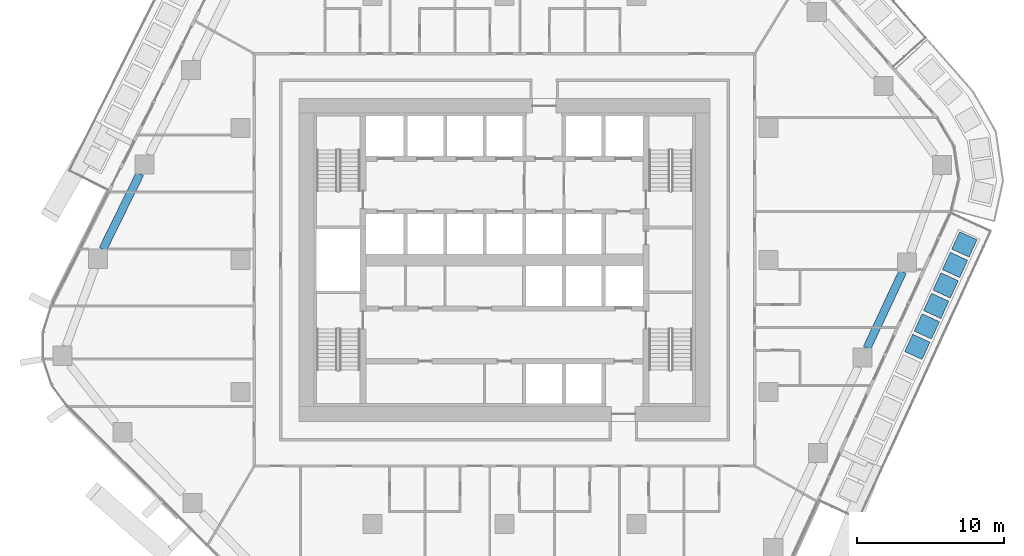
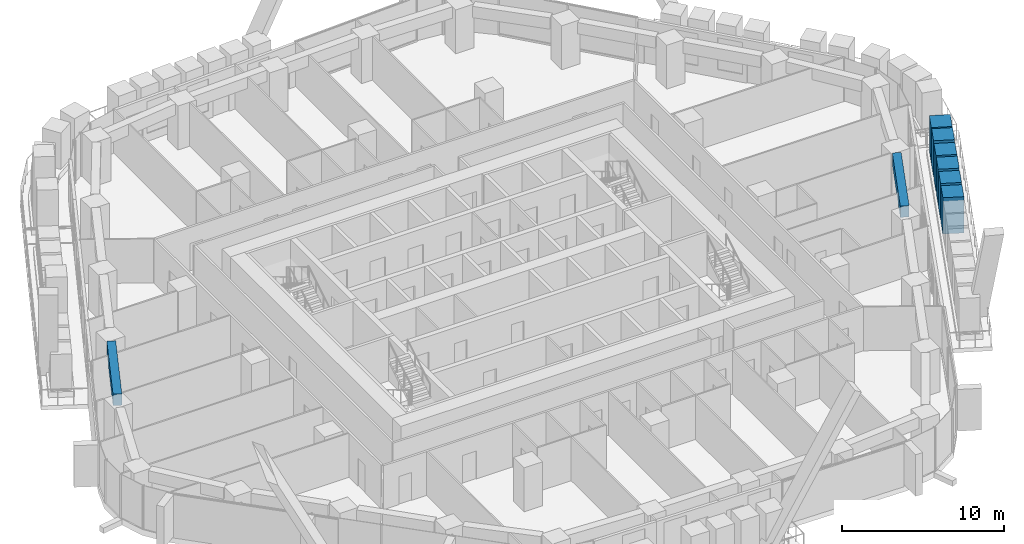
# One storey, part 5 of 25: 6 members, 2 beams.
"""IFC4 building model written with IfcOpenShell, lengths in metres."""

from ifc_helpers import new_model, si_unit, direction, frame, origin, origin_2d, place, context, subcontext, project, spatial, rectangle, extrude, material, material_profile, profile_set, type_object, element, save


model = new_model("IFC4")

# Units and contexts
model_context = context("Model", 3, precision=1e-05, world=origin(), true_north=direction((0.0, 1.0)))
body_context = subcontext(model_context, "Body", "Model", "MODEL_VIEW")
ifc_project = project(units=[si_unit("LENGTHUNIT", "METRE"), si_unit("AREAUNIT", "SQUARE_METRE"), si_unit("VOLUMEUNIT", "CUBIC_METRE"), si_unit("PLANEANGLEUNIT", "RADIAN"), si_unit("MASSUNIT", "GRAM", prefix="KILO")], contexts=[model_context])

# Site, building, storey
site_placement = place(None, origin())
site = spatial("IfcSite", under=ifc_project, at=site_placement, CompositionType="ELEMENT")
building_placement = place(site_placement, origin())
building = spatial("IfcBuilding", under=site, at=building_placement, Name="Dongbaek Canopy Tower", CompositionType="ELEMENT")
storey_placement = place(building_placement, frame((0.0, 0.0, 102.60009765625)))
storey = spatial("IfcBuildingStorey", under=building, at=storey_placement, Name="L21", CompositionType="ELEMENT", Elevation=102.60009765625)

# Beams
ifc_material_1 = material(Name="Concrete C80", Category="concrete")
ifc_material_profile_1 = material_profile(ifc_material_1, rectangle(XDim=0.550048828125, YDim=0.85009765625, at=origin_2d()), Name="RC EDGE BEAM 550x850 C80")
ifc_profile_set_1 = profile_set([ifc_material_profile_1], Name="Concrete C80")
beam_type = type_object("IfcBeamType", Name="RC EDGE BEAM 550x850 C80", PredefinedType="BEAM", material=ifc_profile_set_1)
beam_1_placement = place(storey_placement, frame((-27.373291015625, 0.73291015625, 2.875), z_axis=(0.441213203353, 0.89740231178, 0.0), x_axis=(-0.89740231178, 0.441213203353, 0.0)))
element("IfcBeam", 1, at=beam_1_placement, inside=storey, type_object=beam_type, Name="EDGEBEAM:L21:09", PredefinedType="BEAM", context=body_context, shape_type="SweptSolid", body=[
    extrude(rectangle(XDim=0.550048828125, YDim=0.85009765625, at=origin_2d()), origin(), (0.0, 0.0, 1.0), 5.72216796875),
])
beam_2_placement = place(storey_placement, frame((27.131591796875, -0.81494140625, 2.875), z_axis=(-0.424053070164, -0.90563734115, 0.0), x_axis=(0.90563734115, -0.424053070164, 0.0)))
element("IfcBeam", 2, at=beam_2_placement, inside=storey, type_object=beam_type, Name="EDGEBEAM:L21:22", PredefinedType="BEAM", context=body_context, shape_type="SweptSolid", body=[
    extrude(rectangle(XDim=0.550048828125, YDim=0.85009765625, at=origin_2d()), origin(), (0.0, 0.0, 1.0), 5.733154296875),
])

# Members
ifc_material_2 = material(Name="Concrete C40/50 planter mass with planting", Category="concrete")
ifc_material_profile_2 = material_profile(ifc_material_2, rectangle(XDim=1.300048828125, YDim=1.300048828125, at=origin_2d()), Name="Terrace PLANTER shrub mass 1300 x 1300")
ifc_profile_set_2 = profile_set([ifc_material_profile_2], Name="Concrete C40/50 planter mass with planting")
member_type = type_object("IfcMemberType", Name="Terrace PLANTER shrub mass 1300 x 1300", PredefinedType="USERDEFINED", material=ifc_profile_set_2)
for number, where, z_axis, x_axis, name in (
    (3, (28.1376953125, -5.925048828125, 0.419921875), (0.0, 0.0, 1.0), (0.908848678728, -0.417125975185, 0.0), "Planter shrubs L21 5.8"),
    (4, (28.7783203125, -4.52880859375, 0.419921875), (0.0, 0.0, 1.0), (0.908848678728, -0.417125975185, 0.0), "Planter shrubs L21 5.9"),
    (5, (29.419189453125, -3.132568359375, 0.419921875), (0.0, 0.0, 1.0), (0.908848678728, -0.417125975185, 0.0), "Planter shrubs L21 5.10"),
):
    element("IfcMember", number, at=place(storey_placement, frame(where, z_axis=z_axis, x_axis=x_axis)), inside=storey, type_object=member_type, Name=name, ObjectType="PLANTER", PredefinedType="USERDEFINED", context=body_context, shape_type="SweptSolid", body=[
        extrude(rectangle(XDim=1.300048828125, YDim=1.300048828125, at=origin_2d()), origin(), (0.0, 0.0, 1.0), 2.72998046875),
    ])
member_1_placement = place(storey_placement, frame((30.06005859375, -1.736328125, 0.419921875), z_axis=(0.0, 0.0, 1.0), x_axis=(0.908848678728, -0.417125975185, 0.0)))
element("IfcMember", 6, at=member_1_placement, inside=storey, type_object=member_type, Name="Planter shrubs L21 5.11", ObjectType="PLANTER", PredefinedType="USERDEFINED", context=body_context, shape_type="SweptSolid", body=[
    extrude(rectangle(XDim=1.300048828125, YDim=1.300048828125, at=origin_2d()), origin(), (0.0, 0.0, 1.0), 2.68994140625),
])
member_2_placement = place(storey_placement, frame((30.700927734375, -0.34033203125, 0.419921875), z_axis=(0.0, 0.0, 1.0), x_axis=(0.908848678728, -0.417125975185, 0.0)))
element("IfcMember", 7, at=member_2_placement, inside=storey, type_object=member_type, Name="Planter shrubs L21 5.12", ObjectType="PLANTER", PredefinedType="USERDEFINED", context=body_context, shape_type="SweptSolid", body=[
    extrude(rectangle(XDim=1.300048828125, YDim=1.300048828125, at=origin_2d()), origin(), (0.0, 0.0, 1.0), 2.72998046875),
])
member_3_placement = place(storey_placement, frame((31.341552734375, 1.055908203125, 0.419921875), z_axis=(0.0, 0.0, 1.0), x_axis=(0.908848678728, -0.417125975185, 0.0)))
element("IfcMember", 8, at=member_3_placement, inside=storey, type_object=member_type, Name="Planter shrubs L21 5.13", ObjectType="PLANTER", PredefinedType="USERDEFINED", context=body_context, shape_type="SweptSolid", body=[
    extrude(rectangle(XDim=1.300048828125, YDim=1.300048828125, at=origin_2d()), origin(), (0.0, 0.0, 1.0), 2.64990234375),
])

save(model, "model.ifc")
